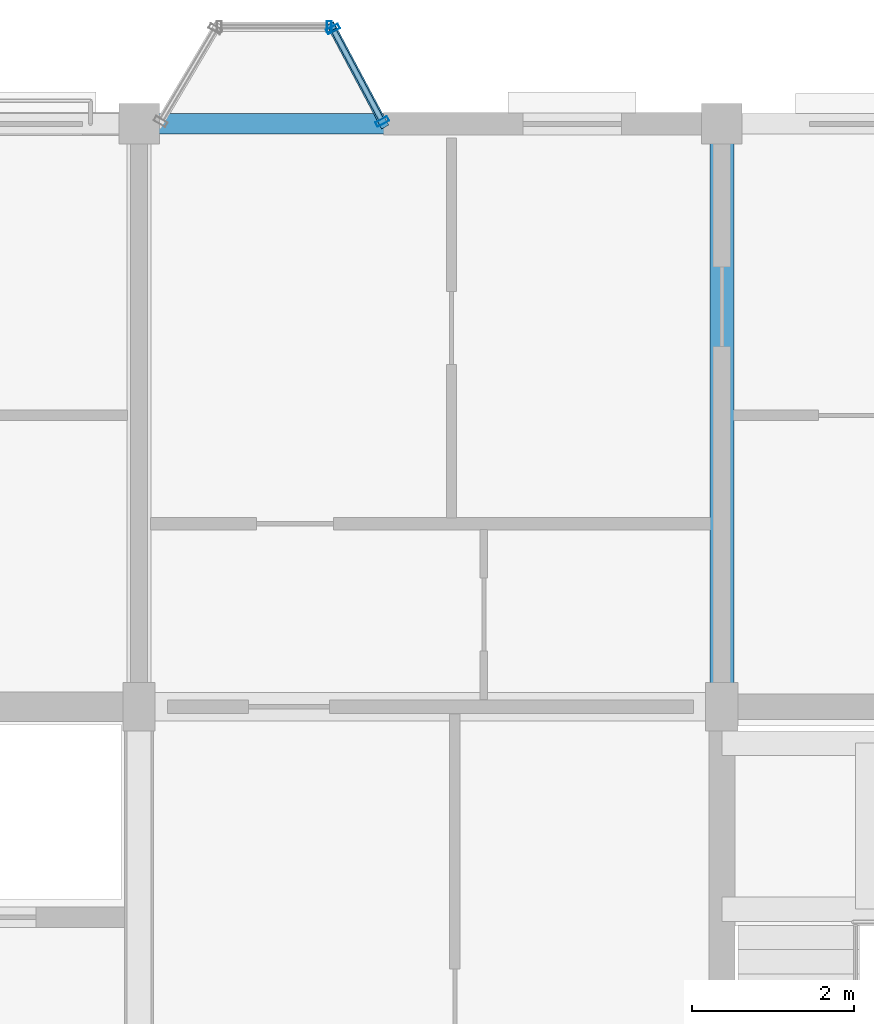
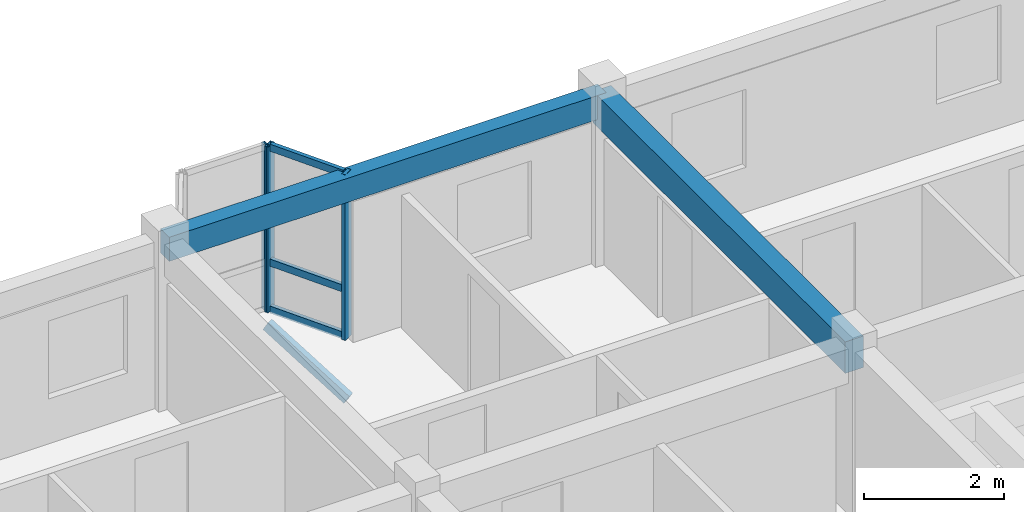
# One storey, part 34 of 64: 7 members, 2 beams, 2 elements without a shape of their own.
"""IFC4 building model written with IfcOpenShell, lengths in metres."""

from ifc_helpers import new_model, si_unit, direction, frame, origin, origin_2d, place, context, subcontext, project, spatial, rectangle, hollow_rectangle, extrude, material, layer, layer_set, material_profile, profile_set, type_object, element, aggregate, save


model = new_model("IFC4")

# Units and contexts
model_context = context("Model", 3, precision=1e-05, world=origin(), true_north=direction((0.0, 1.0)))
body_context = subcontext(model_context, "Body", "Model", "MODEL_VIEW")
ifc_project = project(units=[si_unit("LENGTHUNIT", "METRE"), si_unit("AREAUNIT", "SQUARE_METRE"), si_unit("VOLUMEUNIT", "CUBIC_METRE"), si_unit("PLANEANGLEUNIT", "RADIAN"), si_unit("MASSUNIT", "GRAM", prefix="KILO"), si_unit("THERMODYNAMICTEMPERATUREUNIT", "KELVIN"), si_unit("POWERUNIT", "WATT")], contexts=[model_context])

# Site, building, storey
site_placement = place(None, origin())
site = spatial("IfcSite", under=ifc_project, at=site_placement, CompositionType="ELEMENT")
building_placement = place(site_placement, origin())
building = spatial("IfcBuilding", under=site, at=building_placement, Name="Tavuni Mirador Residences", CompositionType="ELEMENT")
storey_placement = place(building_placement, frame((0.0, 0.0, 26.550048828125)))
storey = spatial("IfcBuildingStorey", under=building, at=storey_placement, Name="L08", CompositionType="ELEMENT", Elevation=26.550048828125)

# Beams
ifc_material_1 = material(Name="Precast concrete C40/50", Category="concrete")
ifc_material_profile_1 = material_profile(ifc_material_1, rectangle(XDim=0.300048828125, YDim=0.550048828125, at=origin_2d()), Name="PC 300x550", Category="concrete")
ifc_profile_set_1 = profile_set([ifc_material_profile_1], Name="Precast concrete C40/50")
beam_type_1 = type_object("IfcBeamType", Name="BT-B550", PredefinedType="BEAM", material=ifc_profile_set_1)
beam_1_placement = place(storey_placement, frame((39.60009765625, 165.60009765625, 2.60986328125), z_axis=(0.0, 1.0, 0.0), x_axis=(-1.0, 0.0, 0.0)))
element("IfcBeam", 1, at=beam_1_placement, inside=storey, type_object=beam_type_1, Name="BMY-BLK-C-L08-04-03", PredefinedType="BEAM", context=body_context, shape_type="SweptSolid", body=[
    extrude(rectangle(XDim=0.300048828125, YDim=0.550048828125, at=origin_2d()), origin(), (0.0, 0.0, 1.0), 7.199951171875),
])
ifc_material_profile_2 = material_profile(ifc_material_1, rectangle(XDim=0.25, YDim=0.419921875, at=origin_2d()), Name="PC 250x420", Category="concrete")
ifc_profile_set_2 = profile_set([ifc_material_profile_2], Name="Precast concrete C40/50")
beam_type_2 = type_object("IfcBeamType", Name="BT-SP420", PredefinedType="SPANDREL", material=ifc_profile_set_2)
beam_2_placement = place(storey_placement, frame((32.39990234375, 172.800048828125, 2.675048828125), z_axis=(1.0, 0.0, 0.0), x_axis=(0.0, 1.0, 0.0)))
element("IfcBeam", 2, at=beam_2_placement, inside=storey, type_object=beam_type_2, Name="BMX-BLK-C-L08-03-04", PredefinedType="SPANDREL", context=body_context, shape_type="SweptSolid", body=[
    extrude(rectangle(XDim=0.25, YDim=0.419921875, at=origin_2d()), origin(), (0.0, 0.0, 1.0), 7.2001953125),
])

# Curtain wall, member
ifc_material_2 = material(Name="Anodised aluminium", Category="aluminium")
ifc_layer_1 = layer(ifc_material_2, 0.1650390625, Name="Anodised aluminium", Category="aluminium")
ifc_layer_set_1 = layer_set([ifc_layer_1], Name="Anodised aluminium")
curtain_wall_type_1 = type_object("IfcCurtainWallType", Name="CWT-MIR-A", PredefinedType="NOTDEFINED", material=ifc_layer_set_1)
curtain_wall_1_placement = place(storey_placement, origin())
curtain_wall_1 = element("IfcCurtainWall", 3, at=curtain_wall_1_placement, inside=storey, type_object=curtain_wall_type_1, Name="CW-MIR-C-N2-L08-MF", PredefinedType="NOTDEFINED")
ifc_material_profile_3 = material_profile(ifc_material_2, hollow_rectangle(XDim=0.06005859375, YDim=0.139892578125, WallThickness=0.00390625, at=origin_2d()), Name="ALU 60x140x4.0", Category="aluminium")
ifc_profile_set_3 = profile_set([ifc_material_profile_3], Name="Anodised aluminium")
member_type_1 = type_object("IfcMemberType", Name="CWM-140", PredefinedType="MULLION", material=ifc_profile_set_3)
member_1_placement = place(storey_placement, frame((34.75, 174.0, 0.0), z_axis=(0.0, 0.0, 1.0), x_axis=(-1.0, 0.0, 0.0)))
member_1 = element("IfcMember", 4, at=member_1_placement, type_object=member_type_1, Name="CW-01 mullion 1", PredefinedType="MULLION", context=body_context, shape_type="SweptSolid", body=[
    extrude(hollow_rectangle(XDim=0.06005859375, YDim=0.139892578125, WallThickness=0.00390625, at=origin_2d()), origin(), (0.0, 0.0, 1.0), 2.885009765625),
])
aggregate(curtain_wall_1, [member_1])

# Curtain wall, members
ifc_layer_2 = layer(ifc_material_2, 0.159912109375, Name="Anodised aluminium", Category="aluminium")
ifc_layer_set_2 = layer_set([ifc_layer_2], Name="Anodised aluminium")
curtain_wall_type_2 = type_object("IfcCurtainWallType", Name="CWT-MIR-D", PredefinedType="NOTDEFINED", material=ifc_layer_set_2)
curtain_wall_2_placement = place(storey_placement, origin())
curtain_wall_2 = element("IfcCurtainWall", 5, at=curtain_wall_2_placement, inside=storey, type_object=curtain_wall_type_2, Name="CW-MIR-C-N2-L08-M1", PredefinedType="NOTDEFINED")
ifc_material_profile_4 = material_profile(ifc_material_2, hollow_rectangle(XDim=0.06494140625, YDim=0.1650390625, WallThickness=0.00439453125, at=origin_2d()), Name="ALU 65x165x4.5", Category="aluminium")
ifc_profile_set_4 = profile_set([ifc_material_profile_4], Name="Anodised aluminium")
member_type_2 = type_object("IfcMemberType", Name="CWM-165", PredefinedType="MULLION", material=ifc_profile_set_4)
member_2_placement = place(storey_placement, frame((35.40478515625, 172.82861328125, 0.0), z_axis=(0.0, 0.0, 1.0), x_axis=(-0.470588235296, 0.882352941175, 0.0)))
member_2 = element("IfcMember", 6, at=member_2_placement, type_object=member_type_2, Name="CW-04 mullion 1", PredefinedType="MULLION", context=body_context, shape_type="SweptSolid", body=[
    extrude(hollow_rectangle(XDim=0.06494140625, YDim=0.1650390625, WallThickness=0.00439453125, at=origin_2d()), origin(), (0.0, 0.0, 1.0), 2.885009765625),
])
member_3_placement = place(storey_placement, frame((34.79541015625, 173.971435546875, 0.0), z_axis=(0.0, 0.0, 1.0), x_axis=(-0.470588235296, 0.882352941175, 0.0)))
member_3 = element("IfcMember", 7, at=member_3_placement, type_object=member_type_2, Name="CW-04 mullion 2", PredefinedType="MULLION", context=body_context, shape_type="SweptSolid", body=[
    extrude(hollow_rectangle(XDim=0.06494140625, YDim=0.1650390625, WallThickness=0.00439453125, at=origin_2d()), origin(), (0.0, 0.0, 1.0), 2.885009765625),
])
ifc_material_profile_5 = material_profile(ifc_material_2, hollow_rectangle(XDim=0.06494140625, YDim=0.125, WallThickness=0.00439453125, at=origin_2d()), Name="ALU 65x125x4.5", Category="aluminium")
ifc_profile_set_5 = profile_set([ifc_material_profile_5], Name="Anodised aluminium")
member_type_3 = type_object("IfcMemberType", Name="CWT-125", PredefinedType="USERDEFINED", material=ifc_profile_set_5)
member_4_placement = place(storey_placement, frame((35.389404296875, 172.857421875, 0.032470703125), z_axis=(-0.470639747922, 0.882325465843, 0.0), x_axis=(-0.882325465843, -0.470639747922, 0.0)))
member_4 = element("IfcMember", 8, at=member_4_placement, type_object=member_type_3, Name="CW-04 transom 1.1", ObjectType="TRANSOM", PredefinedType="USERDEFINED", context=body_context, shape_type="SweptSolid", body=[
    extrude(hollow_rectangle(XDim=0.06494140625, YDim=0.125, WallThickness=0.00439453125, at=origin_2d()), origin(), (0.0, 0.0, 1.0), 1.22998046875),
])
member_5_placement = place(storey_placement, frame((35.389404296875, 172.857421875, 0.849853515625), z_axis=(-0.470639747922, 0.882325465843, 0.0), x_axis=(-0.882325465843, -0.470639747922, 0.0)))
member_5 = element("IfcMember", 9, at=member_5_placement, type_object=member_type_3, Name="CW-04 transom 1.2", ObjectType="TRANSOM", PredefinedType="USERDEFINED", context=body_context, shape_type="SweptSolid", body=[
    extrude(hollow_rectangle(XDim=0.06494140625, YDim=0.125, WallThickness=0.00439453125, at=origin_2d()), origin(), (0.0, 0.0, 1.0), 1.22998046875),
])
member_6_placement = place(storey_placement, frame((35.389404296875, 172.857421875, 2.8525390625), z_axis=(-0.470639747922, 0.882325465843, 0.0), x_axis=(-0.882325465843, -0.470639747922, 0.0)))
member_6 = element("IfcMember", 10, at=member_6_placement, type_object=member_type_3, Name="CW-04 transom 1.3", ObjectType="TRANSOM", PredefinedType="USERDEFINED", context=body_context, shape_type="SweptSolid", body=[
    extrude(hollow_rectangle(XDim=0.06494140625, YDim=0.125, WallThickness=0.00439453125, at=origin_2d()), origin(), (0.0, 0.0, 1.0), 1.22998046875),
])
aggregate(curtain_wall_2, [member_2, member_3, member_4, member_5, member_6])

# Member
ifc_material_3 = material(Name="Structural steel S355", Category="steel")
ifc_material_profile_6 = material_profile(ifc_material_3, hollow_rectangle(XDim=0.10009765625, YDim=0.179931640625, WallThickness=0.008056640625, at=origin_2d()), Name="RHS 180x100x8.0", Category="steel")
ifc_profile_set_6 = profile_set([ifc_material_profile_6], Name="Structural steel S355")
member_type_4 = type_object("IfcMemberType", Name="MT-BR-RHS180", PredefinedType="BRACE", material=ifc_profile_set_6)
member_7_placement = place(storey_placement, frame((35.419921875, 172.800048828125, -1.050048828125), z_axis=(-0.407530885562, 0.764217589674, 0.499890040855), x_axis=(-0.882377788047, -0.47054164445, 0.0)))
element("IfcMember", 11, at=member_7_placement, inside=storey, type_object=member_type_4, Name="MBRK-MIR-C-N2-L08-2", PredefinedType="BRACE", context=body_context, shape_type="SweptSolid", body=[
    extrude(hollow_rectangle(XDim=0.10009765625, YDim=0.179931640625, WallThickness=0.008056640625, at=origin_2d()), origin(), (0.0, 0.0, 1.0), 1.570068359375),
])

save(model, "model.ifc")
